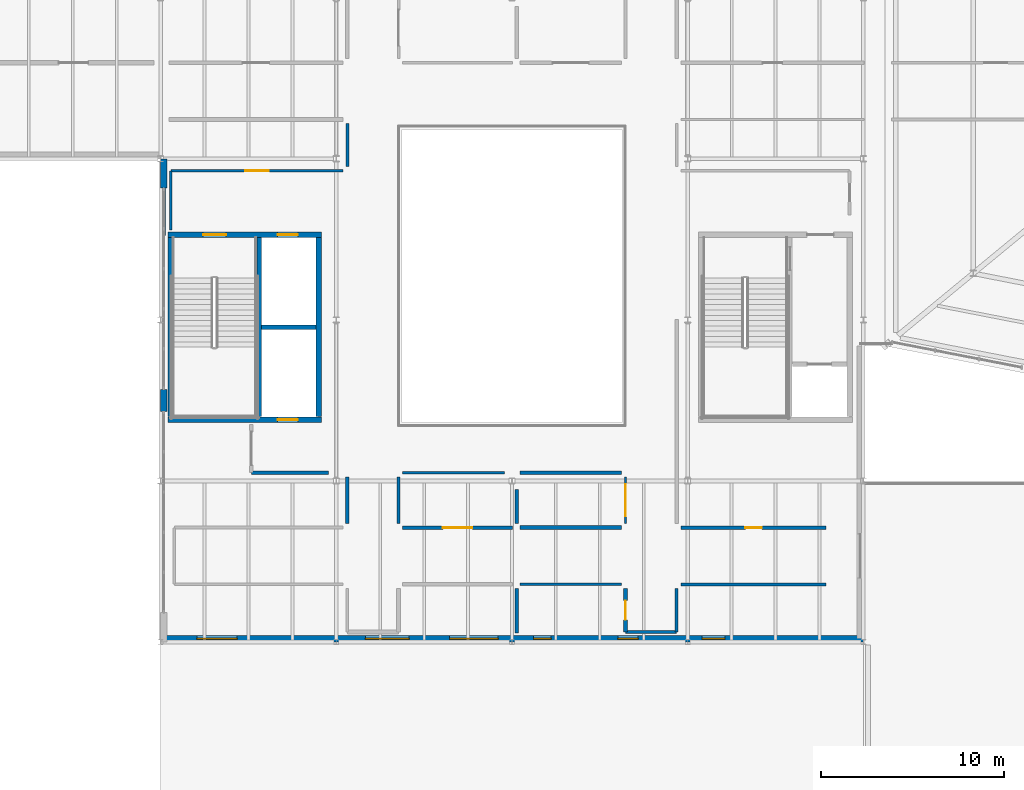
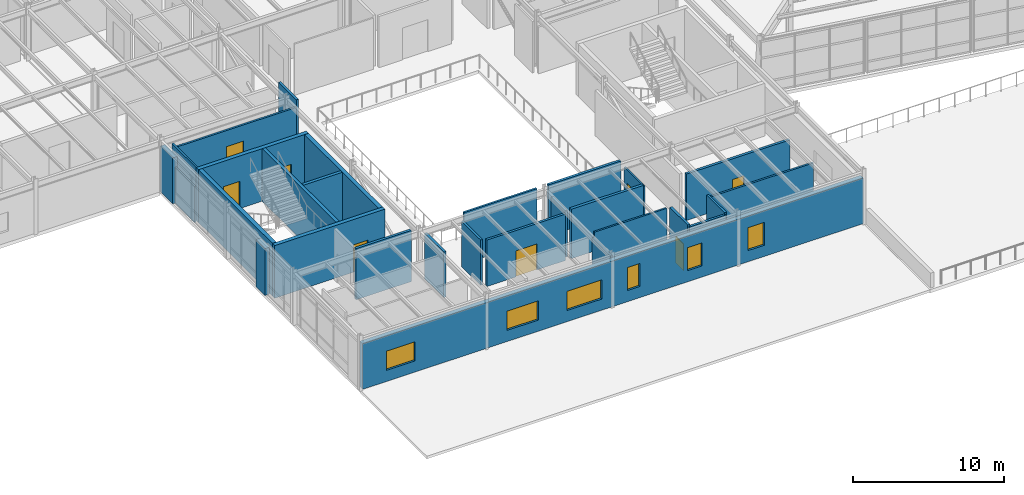
# One storey, part 51 of 69: 29 walls, 8 doors, 6 windows, 14 openings.
"""IFC4 building model written with IfcOpenShell, lengths in metres."""

import ifcopenshell
import ifcopenshell.guid

model = None  # the IFC model being written
_history = None  # IfcOwnerHistory: only IFC2X3 demands one
_inside = {}  # id of a spatial element -> (the spatial element, [elements in it])
_under = {}  # id of a project, library or spatial element -> (it, [spatial elements below it])
_declared = {}  # id of a project -> (the project, [libraries it declares])
_typed = {}  # id of a type object -> (the type object, [elements of that type])
_made_of = {}  # id of a material, layer set ... -> (it, [elements and type objects made of it])


def new_model(schema):
    """Start an empty IFC model of exactly this schema.

    Asked for "IFC4X3", IfcOpenShell would pick the latest addendum, in which some entities
    have other attributes; the version numbers below select the first issue.
    IFC2X3 requires an IfcOwnerHistory on every rooted entity: one is made here for all.
    """
    global model, _history
    if schema == "IFC4X3":
        model = ifcopenshell.file(schema_version=(4, 3, 0, 0))
    else:
        model = ifcopenshell.file(schema=schema)
    _inside.clear()
    _under.clear()
    _declared.clear()
    _typed.clear()
    _made_of.clear()
    _history = None
    if model.schema == "IFC2X3":
        org = make("IfcOrganization", Name="unknown")
        user = make(
            "IfcPersonAndOrganization",
            ThePerson=make("IfcPerson", FamilyName="unknown"),
            TheOrganization=org,
        )
        app = make(
            "IfcApplication",
            ApplicationDeveloper=org,
            Version="unknown",
            ApplicationFullName="unknown",
            ApplicationIdentifier="unknown",
        )
        _history = make(
            "IfcOwnerHistory",
            OwningUser=user,
            OwningApplication=app,
            ChangeAction="ADDED",
            CreationDate=0,
        )
    return model


def make(cls, **values):
    """One entity of the class cls with the attributes given. An attribute that is None is left unset."""
    return model.create_entity(
        cls, **{name: value for name, value in values.items() if value is not None}
    )


def rooted(cls, **values):
    """An entity with a GlobalId (a new one), such as an element, a storey or a relation."""
    return make(cls, GlobalId=ifcopenshell.guid.new(), OwnerHistory=_history, **values)


def si_unit(unit_type, name, prefix=None):
    """IfcSIUnit, for example si_unit("LENGTHUNIT", "METRE", prefix="MILLI")."""
    return make("IfcSIUnit", UnitType=unit_type, Prefix=prefix, Name=name)


def assignment(units):
    """IfcUnitAssignment: the units of a project."""
    return None if units is None else make("IfcUnitAssignment", Units=units)


def point(xyz):
    """IfcCartesianPoint."""
    return None if xyz is None else make("IfcCartesianPoint", Coordinates=xyz)


def direction(xyz):
    """IfcDirection."""
    return None if xyz is None else make("IfcDirection", DirectionRatios=xyz)


def frame(location, z_axis=None, x_axis=None):
    """IfcAxis2Placement3D, a coordinate frame: its origin and axes. An axis left out is left unset."""
    return make(
        "IfcAxis2Placement3D",
        Location=point(location),
        Axis=direction(z_axis),
        RefDirection=direction(x_axis),
    )


def frame_2d(location, x_axis=None):
    """IfcAxis2Placement2D, a coordinate frame in the plane: its origin and x axis."""
    return make(
        "IfcAxis2Placement2D", Location=point(location), RefDirection=direction(x_axis)
    )


def origin():
    """The frame at (0, 0, 0) with its axes left unset."""
    return frame((0.0, 0.0, 0.0))


def place(relative_to, where):
    """IfcLocalPlacement: puts the frame where relative to a parent placement (None: the world)."""
    return make(
        "IfcLocalPlacement", PlacementRelTo=relative_to, RelativePlacement=where
    )


def context(
    kind, dimensions, precision=None, world=None, true_north=None, identifier=None
):
    """IfcGeometricRepresentationContext, for example the 3D "Model" context."""
    return make(
        "IfcGeometricRepresentationContext",
        ContextIdentifier=identifier,
        ContextType=kind,
        CoordinateSpaceDimension=dimensions,
        Precision=precision,
        WorldCoordinateSystem=world,
        TrueNorth=true_north,
    )


def subcontext(parent, identifier, kind, view, scale=None):
    """IfcGeometricRepresentationSubContext, for example "Body" below "Model"."""
    return make(
        "IfcGeometricRepresentationSubContext",
        ContextIdentifier=identifier,
        ContextType=kind,
        ParentContext=parent,
        TargetScale=scale,
        TargetView=view,
    )


def project(units=None, contexts=None):
    """IfcProject with its units and contexts."""
    return rooted(
        "IfcProject",
        Name="project",
        RepresentationContexts=contexts,
        UnitsInContext=assignment(units),
    )


def spatial(cls, under=None, at=None, **own):
    """A site, building, storey or space (cls), placed at a placement, below another one or the project."""
    s = rooted(cls, ObjectPlacement=at, **own)
    if under is not None:
        _under.setdefault(under.id(), (under, []))[1].append(s)
    return s


def profile(cls, at=None, kind="AREA", **sizes):
    """A parametric profile (cls). Its sizes go by their IFC names, for example OverallWidth=200.0."""
    return make(cls, ProfileType=kind, Position=at, **sizes)


def rectangle(**sizes):
    """IfcRectangleProfileDef."""
    return profile("IfcRectangleProfileDef", **sizes)


def extrude(swept, where, along, depth):
    """IfcExtrudedAreaSolid: the profile swept, set in the frame where, extruded along a direction by depth."""
    return make(
        "IfcExtrudedAreaSolid",
        SweptArea=swept,
        Position=where,
        ExtrudedDirection=direction(along),
        Depth=depth,
    )


def shape(context_of_items, identifier, shape_type, items):
    """IfcShapeRepresentation: the items that make up one representation, for example the "Body"."""
    return make(
        "IfcShapeRepresentation",
        ContextOfItems=context_of_items,
        RepresentationIdentifier=identifier,
        RepresentationType=shape_type,
        Items=items,
    )


def material(Name=None, Category=None):
    """IfcMaterial."""
    return make("IfcMaterial", Name=Name, Category=Category)


def layer(
    of_material, thickness, ventilated=None, Name=None, Category=None, Priority=None
):
    """IfcMaterialLayer: one layer of a wall or slab, of a material (None: an air gap)."""
    return make(
        "IfcMaterialLayer",
        Material=of_material,
        LayerThickness=thickness,
        IsVentilated=ventilated,
        Name=Name,
        Category=Category,
        Priority=Priority,
    )


def layer_set(layers, Name=None):
    """IfcMaterialLayerSet."""
    return make("IfcMaterialLayerSet", MaterialLayers=layers, LayerSetName=Name)


def made_of(thing, what):
    """Note that an element or type object is made of a material, layer set ...; save() writes the relation."""
    if what is not None:
        _made_of.setdefault(what.id(), (what, []))[1].append(thing)
    return thing


def type_object(cls, material=None, **own):
    """A type object (cls), such as IfcWallType, which elements share."""
    return made_of(rooted(cls, **own), material)


def element(
    cls,
    number,
    at=None,
    inside=None,
    cuts=None,
    type_object=None,
    material=None,
    context=None,
    identifier="Body",
    shape_type=None,
    held_by="IfcProductDefinitionShape",
    body=None,
    shapes=None,
    **own,
):
    """One element of the class cls, such as IfcWall. Its Tag is "e" and its number.

    at: its placement. inside: the storey or other place that contains it. cuts: it is an
    opening in that element (IfcRelVoidsElement). A single representation is given by context,
    identifier, shape_type and body (its items); several are given by shapes. held_by: the class
    of the entity that holds the representations. save() writes the other relations.
    """
    e = rooted(cls, Tag="e%d" % number, ObjectPlacement=at, **own)
    if body is not None:
        shapes = [shape(context, identifier, shape_type, body)]
    if shapes is not None:
        e.Representation = make(held_by, Representations=shapes)
    if inside is not None:
        _inside.setdefault(inside.id(), (inside, []))[1].append(e)
    if cuts is not None:
        rooted(
            "IfcRelVoidsElement", RelatingBuildingElement=cuts, RelatedOpeningElement=e
        )
    if type_object is not None:
        _typed.setdefault(type_object.id(), (type_object, []))[1].append(e)
    return made_of(e, material)


def fill(opening, filler):
    """IfcRelFillsElement: the door or window that sits in an opening."""
    return rooted(
        "IfcRelFillsElement",
        RelatingOpeningElement=opening,
        RelatedBuildingElement=filler,
    )


def aggregate(whole, parts):
    """IfcRelAggregates: a whole, such as a stair, and the parts it consists of."""
    return rooted("IfcRelAggregates", RelatingObject=whole, RelatedObjects=parts)


def save(model, path):
    """Write the relations noted so far, then the file.

    IfcRelAggregates (storeys below a building ...), IfcRelContainedInSpatialStructure (elements
    in a storey), IfcRelDefinesByType, IfcRelAssociatesMaterial and IfcRelDeclares: one each for
    every whole, place, type object, material and project.
    """
    for whole, parts in _under.values():
        aggregate(whole, parts)
    for where, things in _inside.values():
        rooted(
            "IfcRelContainedInSpatialStructure",
            RelatedElements=things,
            RelatingStructure=where,
        )
    for kind, things in _typed.values():
        rooted("IfcRelDefinesByType", RelatedObjects=things, RelatingType=kind)
    for what, things in _made_of.values():
        rooted("IfcRelAssociatesMaterial", RelatedObjects=things, RelatingMaterial=what)
    for by, libraries in _declared.values():
        rooted("IfcRelDeclares", RelatingContext=by, RelatedDefinitions=libraries)
    model.write(path)


model = new_model("IFC4")

# Units and contexts
model_context = context("Model", 3, precision=1e-05, world=origin(), true_north=direction((0.0, 1.0)))
body_context = subcontext(model_context, "Body", "Model", "MODEL_VIEW")
ifc_project = project(units=[si_unit("LENGTHUNIT", "METRE"), si_unit("AREAUNIT", "SQUARE_METRE"), si_unit("VOLUMEUNIT", "CUBIC_METRE"), si_unit("PLANEANGLEUNIT", "RADIAN"), si_unit("MASSUNIT", "GRAM", prefix="KILO")], contexts=[model_context])

# Site, building, storey
site_placement = place(None, origin())
site = spatial("IfcSite", under=ifc_project, at=site_placement, CompositionType="ELEMENT")
building_placement = place(site_placement, origin())
building = spatial("IfcBuilding", under=site, at=building_placement, Name="Sarnbrook Museum", CompositionType="ELEMENT")
storey_placement = place(building_placement, frame((0.0, 0.0, 14.60009765625)))
storey = spatial("IfcBuildingStorey", under=building, at=storey_placement, Name="L03", CompositionType="ELEMENT", Elevation=14.60009765625)

# Wall, opening, door
ifc_material_1 = material(Name="Concrete N50 (AS 3600, f'c = 50 MPa)", Category="concrete")
ifc_layer_1 = layer(ifc_material_1, 0.300048828125)
ifc_layer_set_1 = layer_set([ifc_layer_1], Name="Concrete N50 (AS 3600, f'c = 50 MPa)")
wall_type_1 = type_object("IfcWallType", Name="CoreWall_CWRC", PredefinedType="SHEAR", material=ifc_layer_set_1)
wall_1_placement = place(storey_placement, frame((81.199951171875, 60.14990234375, 0.0), z_axis=(0.0, 0.0, 1.0), x_axis=(1.0, 0.0, 0.0)))
wall_1 = element("IfcWall", 1, at=wall_1_placement, inside=storey, type_object=wall_type_1, Name="Core C3 Shear Wall S L03", PredefinedType="SHEAR", context=body_context, shape_type="SweptSolid", body=[
    extrude(rectangle(XDim=8.400146484375, YDim=0.300048828125, at=frame_2d((4.2001953125, 0.0))), origin(), (0.0, 0.0, 1.0), 4.244873046875),
])
opening_1_placement = place(wall_1_placement, frame((6.0, 0.0, 0.0)))
opening_1 = element("IfcOpeningElement", 2, at=opening_1_placement, cuts=wall_1, Name="Opening LD-PL1-L03", PredefinedType="OPENING", context=body_context, shape_type="SweptSolid", body=[
    extrude(rectangle(XDim=1.10009765625, YDim=2.199951171875, at=frame_2d((0.550048828125, 1.10009765625))), frame((0.0, 0.16015625, 0.0), z_axis=(0.0, -1.0, 0.0), x_axis=(1.0, 0.0, 0.0)), (0.0, 0.0, 1.0), 0.320068359375),
])
ifc_material_2 = material(Name="Brushed Stainless Steel Grade 316", Category="steel")
door_type_1 = type_object("IfcDoorType", Name="LiftDoor_Pax110", OperationType="DOUBLE_DOOR_SLIDING", PredefinedType="DOOR", material=ifc_material_2)
door_1_placement = place(opening_1_placement, origin())
door_1 = element("IfcDoor", 3, at=door_1_placement, inside=storey, type_object=door_type_1, Name="Lift Landing Sliding Door LD-PL1-L03", OperationType="DOUBLE_DOOR_SLIDING", OverallHeight=2.199951171875, OverallWidth=1.10009765625, PredefinedType="DOOR", context=body_context, shape_type="SweptSolid", body=[
    extrude(rectangle(XDim=1.10009765625, YDim=2.199951171875, at=frame_2d((0.550048828125, 1.10009765625))), frame((0.0, 0.02490234375, 0.0), z_axis=(0.0, -1.0, 0.0), x_axis=(1.0, 0.0, 0.0)), (0.0, 0.0, 1.0), 0.050048828125),
])
fill(opening_1, door_1)

# Wall, openings, doors
wall_2_placement = place(storey_placement, frame((89.60009765625, 70.25, 0.0), z_axis=(0.0, 0.0, 1.0), x_axis=(-1.0, 0.0, 0.0)))
wall_2 = element("IfcWall", 4, at=wall_2_placement, inside=storey, type_object=wall_type_1, Name="Core C3 Shear Wall N L03", PredefinedType="SHEAR", context=body_context, shape_type="SweptSolid", body=[
    extrude(rectangle(XDim=8.400146484375, YDim=0.300048828125, at=frame_2d((4.2001953125, 0.0))), origin(), (0.0, 0.0, 1.0), 4.244873046875),
])
opening_2_placement = place(wall_2_placement, frame((5.22509765625, 0.0, 0.0)))
opening_2 = element("IfcOpeningElement", 5, at=opening_2_placement, cuts=wall_2, Name="Opening D-ST-ST3-L03", PredefinedType="OPENING", context=body_context, shape_type="SweptSolid", body=[
    extrude(rectangle(XDim=1.25, YDim=2.199951171875, at=frame_2d((0.625, 1.10009765625))), frame((0.0, 0.16015625, 0.0), z_axis=(0.0, -1.0, 0.0), x_axis=(1.0, 0.0, 0.0)), (0.0, 0.0, 1.0), 0.320068359375),
])
opening_3_placement = place(wall_2_placement, frame((1.300048828125, 0.0, 0.0)))
opening_3 = element("IfcOpeningElement", 6, at=opening_3_placement, cuts=wall_2, Name="Opening LD-PL2-L03", PredefinedType="OPENING", context=body_context, shape_type="SweptSolid", body=[
    extrude(rectangle(XDim=1.10009765625, YDim=2.199951171875, at=frame_2d((0.550048828125, 1.10009765625))), frame((0.0, 0.16015625, 0.0), z_axis=(0.0, -1.0, 0.0), x_axis=(1.0, 0.0, 0.0)), (0.0, 0.0, 1.0), 0.320068359375),
])
ifc_material_3 = material(Name="Tasmanian Oak Acoustic Timber", Category="wood")
door_type_2 = type_object("IfcDoorType", Name="FireDoor_FD120", OperationType="NOTDEFINED", PredefinedType="DOOR", material=ifc_material_3)
door_2_placement = place(opening_2_placement, origin())
door_2 = element("IfcDoor", 7, at=door_2_placement, inside=storey, type_object=door_type_2, Name="Exit Stair ST3 Fire Door L03", OperationType="SINGLE_SWING_RIGHT", OverallHeight=2.199951171875, OverallWidth=1.25, PredefinedType="DOOR", context=body_context, shape_type="SweptSolid", body=[
    extrude(rectangle(XDim=1.25, YDim=2.199951171875, at=frame_2d((0.625, 1.10009765625))), frame((0.0, 0.02490234375, 0.0), z_axis=(0.0, -1.0, 0.0), x_axis=(1.0, 0.0, 0.0)), (0.0, 0.0, 1.0), 0.050048828125),
])
fill(opening_2, door_2)
door_3_placement = place(opening_3_placement, origin())
door_3 = element("IfcDoor", 8, at=door_3_placement, inside=storey, type_object=door_type_1, Name="Lift Landing Sliding Door LD-PL2-L03", OperationType="DOUBLE_DOOR_SLIDING", OverallHeight=2.199951171875, OverallWidth=1.10009765625, PredefinedType="DOOR", context=body_context, shape_type="SweptSolid", body=[
    extrude(rectangle(XDim=1.10009765625, YDim=2.199951171875, at=frame_2d((0.550048828125, 1.10009765625))), frame((0.0, 0.02490234375, 0.0), z_axis=(0.0, -1.0, 0.0), x_axis=(1.0, 0.0, 0.0)), (0.0, 0.0, 1.0), 0.050048828125),
])
fill(opening_3, door_3)

# Walls
for number, where, z_axis, x_axis, name in (
    (9, (89.449951171875, 60.31005859375, 0.0), (0.0, 0.0, 1.0), (0.0, 1.0, 0.0), "Core C3 Shear Wall E L03"),
    (10, (81.35009765625, 70.090087890625, 0.0), (0.0, 0.0, 1.0), (0.0, -1.0, 0.0), "Core C3 Shear Wall W L03"),
):
    element("IfcWall", number, at=place(storey_placement, frame(where, z_axis=z_axis, x_axis=x_axis)), inside=storey, type_object=wall_type_1, Name=name, PredefinedType="SHEAR", context=body_context, shape_type="SweptSolid", body=[
        extrude(rectangle(XDim=9.780029296875, YDim=0.300048828125, at=frame_2d((4.89013671875, 0.0))), origin(), (0.0, 0.0, 1.0), 4.244873046875),
    ])
ifc_material_4 = material(Name="Fire-Rated Acoustic Gypsum Plasterboard")
ifc_layer_2 = layer(ifc_material_4, 0.1201171875)
ifc_layer_set_2 = layer_set([ifc_layer_2], Name="Fire-Rated Acoustic Gypsum Plasterboard")
wall_type_2 = type_object("IfcWallType", Name="PartWall_P120", PredefinedType="PARTITIONING", material=ifc_layer_set_2)
wall_3_placement = place(storey_placement, frame((81.02001953125, 70.199951171875, 0.0), z_axis=(0.0, 0.0, 1.0), x_axis=(0.0, 1.0, 0.0)))
element("IfcWall", 11, at=wall_3_placement, inside=storey, type_object=wall_type_2, Name="Interior Partition Wall L03-0629", PredefinedType="PARTITIONING", context=body_context, shape_type="SweptSolid", body=[
    extrude(rectangle(XDim=2.60009765625, YDim=0.1201171875, at=frame_2d((1.300048828125, 0.0))), origin(), (0.0, 0.0, 1.0), 2.89990234375),
])

# Wall, opening, door
wall_4_placement = place(storey_placement, frame((106.199951171875, 57.02001953125, 0.0), z_axis=(0.0, 0.0, 1.0), x_axis=(0.0, -1.0, 0.0)))
wall_4 = element("IfcWall", 12, at=wall_4_placement, inside=storey, type_object=wall_type_2, Name="Interior Partition Wall L03-0650", PredefinedType="PARTITIONING", context=body_context, shape_type="SweptSolid", body=[
    extrude(rectangle(XDim=2.5400390625, YDim=0.1201171875, at=frame_2d((1.27001953125, 0.0))), origin(), (0.0, 0.0, 1.0), 3.6669921875),
])
opening_4_placement = place(wall_4_placement, frame((0.39501953125, 0.0, 0.0)))
opening_4 = element("IfcOpeningElement", 13, at=opening_4_placement, cuts=wall_4, Name="Opening D-L03-187", PredefinedType="OPENING", context=body_context, shape_type="SweptSolid", body=[
    extrude(rectangle(XDim=1.75, YDim=2.580078125, at=frame_2d((0.875, 1.2900390625))), frame((0.0, 0.070068359375, 0.0), z_axis=(0.0, -1.0, 0.0), x_axis=(1.0, 0.0, 0.0)), (0.0, 0.0, 1.0), 0.14013671875),
])
door_type_3 = type_object("IfcDoorType", Name="IntDoor_DT35", OperationType="NOTDEFINED", PredefinedType="DOOR", material=ifc_material_3)
door_4_placement = place(opening_4_placement, frame((1.75, 0.0, 0.0), z_axis=(0.0, 0.0, 1.0), x_axis=(-1.0, 0.0, 0.0)))
door_4 = element("IfcDoor", 14, at=door_4_placement, inside=storey, type_object=door_type_3, Name="First Peoples Cultural Heritage Gallery L03-15 Door D-L03-187", OperationType="DOUBLE_DOOR_SINGLE_SWING", OverallHeight=2.580078125, OverallWidth=1.75, PredefinedType="DOOR", context=body_context, shape_type="SweptSolid", body=[
    extrude(rectangle(XDim=1.75, YDim=2.580078125, at=frame_2d((0.875, 1.2900390625))), frame((0.0, 0.02490234375, 0.0), z_axis=(0.0, -1.0, 0.0), x_axis=(1.0, 0.0, 0.0)), (0.0, 0.0, 1.0), 0.050048828125),
])
fill(opening_4, door_4)

# Walls
ifc_layer_3 = layer(ifc_material_4, 0.135009765625)
ifc_layer_set_3 = layer_set([ifc_layer_3], Name="Fire-Rated Acoustic Gypsum Plasterboard")
wall_type_3 = type_object("IfcWallType", Name="PartWall_P135", PredefinedType="PARTITIONING", material=ifc_layer_set_3)
wall_5_placement = place(storey_placement, frame((81.35009765625, 73.739990234375, 0.0), z_axis=(0.0, 0.0, 1.0), x_axis=(0.0, -1.0, 0.0)))
element("IfcWall", 15, at=wall_5_placement, inside=storey, type_object=wall_type_3, Name="Interior Partition Wall L03-0628", PredefinedType="PARTITIONING", context=body_context, shape_type="SweptSolid", body=[
    extrude(rectangle(XDim=3.219970703125, YDim=0.135009765625, at=frame_2d((1.60986328125, 0.0))), origin(), (0.0, 0.0, 1.0), 4.1298828125),
])
wall_6_placement = place(storey_placement, frame((100.449951171875, 51.14990234375, 0.0), z_axis=(0.0, 0.0, 1.0), x_axis=(1.0, 0.0, 0.0)))
element("IfcWall", 16, at=wall_6_placement, inside=storey, type_object=wall_type_3, Name="Interior Partition Wall L03-0649", PredefinedType="PARTITIONING", context=body_context, shape_type="SweptSolid", body=[
    extrude(rectangle(XDim=5.52001953125, YDim=0.135009765625, at=frame_2d((2.760009765625, 0.0))), origin(), (0.0, 0.0, 1.0), 3.992919921875),
])

# Wall, opening, door
ifc_layer_4 = layer(ifc_material_4, 0.14990234375)
ifc_layer_set_4 = layer_set([ifc_layer_4], Name="Fire-Rated Acoustic Gypsum Plasterboard")
wall_type_4 = type_object("IfcWallType", Name="PartWall_P150", PredefinedType="PARTITIONING", material=ifc_layer_set_4)
wall_7_placement = place(storey_placement, frame((90.77001953125, 73.75, 0.0), z_axis=(0.0, 0.0, 1.0), x_axis=(-1.0, 0.0, 0.0)))
wall_7 = element("IfcWall", 17, at=wall_7_placement, inside=storey, type_object=wall_type_4, Name="Interior Partition Wall L03-0627", PredefinedType="PARTITIONING", context=body_context, shape_type="SweptSolid", body=[
    extrude(rectangle(XDim=9.409912109375, YDim=0.14990234375, at=frame_2d((4.705078125, 0.0))), origin(), (0.0, 0.0, 1.0), 3.762939453125),
])
opening_5_placement = place(wall_7_placement, frame((4.054931640625, 0.0, 0.0)))
opening_5 = element("IfcOpeningElement", 18, at=opening_5_placement, cuts=wall_7, Name="Opening D-L03-180", PredefinedType="OPENING", context=body_context, shape_type="SweptSolid", body=[
    extrude(rectangle(XDim=1.300048828125, YDim=2.4599609375, at=frame_2d((0.64990234375, 1.22998046875))), frame((0.0, 0.0849609375, 0.0), z_axis=(0.0, -1.0, 0.0), x_axis=(1.0, 0.0, 0.0)), (0.0, 0.0, 1.0), 0.169921875),
])
door_type_4 = type_object("IfcDoorType", Name="IntDoor_DT28", OperationType="NOTDEFINED", PredefinedType="DOOR", material=ifc_material_3)
door_5_placement = place(opening_5_placement, frame((1.300048828125, 0.0, 0.0), z_axis=(0.0, 0.0, 1.0), x_axis=(-1.0, 0.0, 0.0)))
door_5 = element("IfcDoor", 19, at=door_5_placement, inside=storey, type_object=door_type_4, Name="Botanical Illustrations & Rare Folios L03-7 Door D-L03-180", OperationType="SINGLE_SWING_RIGHT", OverallHeight=2.4599609375, OverallWidth=1.300048828125, PredefinedType="DOOR", context=body_context, shape_type="SweptSolid", body=[
    extrude(rectangle(XDim=1.300048828125, YDim=2.4599609375, at=frame_2d((0.64990234375, 1.22998046875))), frame((0.0, 0.02490234375, 0.0), z_axis=(0.0, -1.0, 0.0), x_axis=(1.0, 0.0, 0.0)), (0.0, 0.0, 1.0), 0.050048828125),
])
fill(opening_5, door_5)

# Walls
wall_8_placement = place(storey_placement, frame((94.030029296875, 57.25, 0.0), z_axis=(0.0, 0.0, 1.0), x_axis=(1.0, 0.0, 0.0)))
element("IfcWall", 20, at=wall_8_placement, inside=storey, type_object=wall_type_4, Name="Interior Partition Wall L03-0641", PredefinedType="PARTITIONING", context=body_context, shape_type="SweptSolid", body=[
    extrude(rectangle(XDim=5.55224609375, YDim=0.14990234375, at=frame_2d((2.776123046875, 0.0))), origin(), (0.0, 0.0, 1.0), 4.1298828125),
])
wall_9_placement = place(storey_placement, frame((109.22998046875, 51.14990234375, 0.0), z_axis=(0.0, 0.0, 1.0), x_axis=(1.0, 0.0, 0.0)))
element("IfcWall", 21, at=wall_9_placement, inside=storey, type_object=wall_type_4, Name="Interior Partition Wall L03-0648", PredefinedType="PARTITIONING", context=body_context, shape_type="SweptSolid", body=[
    extrude(rectangle(XDim=7.935791015625, YDim=0.14990234375, at=frame_2d((3.9677734375, 0.0))), origin(), (0.0, 0.0, 1.0), 3.742919921875),
])
ifc_layer_5 = layer(ifc_material_4, 0.1650390625)
ifc_layer_set_5 = layer_set([ifc_layer_5], Name="Fire-Rated Acoustic Gypsum Plasterboard")
wall_type_5 = type_object("IfcWallType", Name="PartWall_P165", PredefinedType="PARTITIONING", material=ifc_layer_set_5)
wall_10_placement = place(storey_placement, frame((91.0, 76.320068359375, 0.0), z_axis=(0.0, 0.0, 1.0), x_axis=(0.0, -1.0, 0.0)))
element("IfcWall", 22, at=wall_10_placement, inside=storey, type_object=wall_type_5, Name="Interior Partition Wall L03-0626", PredefinedType="PARTITIONING", context=body_context, shape_type="SweptSolid", body=[
    extrude(rectangle(XDim=2.340087890625, YDim=0.1650390625, at=frame_2d((1.169921875, 0.0))), origin(), (0.0, 0.0, 1.0), 4.1298828125),
])
wall_11_placement = place(storey_placement, frame((93.800048828125, 54.47998046875, 0.0), z_axis=(0.0, 0.0, 1.0), x_axis=(0.0, 1.0, 0.0)))
element("IfcWall", 23, at=wall_11_placement, inside=storey, type_object=wall_type_5, Name="Interior Partition Wall L03-0640", PredefinedType="PARTITIONING", context=body_context, shape_type="SweptSolid", body=[
    extrude(rectangle(XDim=2.5400390625, YDim=0.1650390625, at=frame_2d((1.27001953125, 0.0))), origin(), (0.0, 0.0, 1.0), 3.6669921875),
])
wall_12_placement = place(storey_placement, frame((109.0, 48.56005859375, 0.0), z_axis=(0.0, 0.0, 1.0), x_axis=(0.0, 1.0, 0.0)))
element("IfcWall", 24, at=wall_12_placement, inside=storey, type_object=wall_type_5, Name="Interior Partition Wall L03-0647", PredefinedType="PARTITIONING", context=body_context, shape_type="SweptSolid", body=[
    extrude(rectangle(XDim=2.35986328125, YDim=0.1650390625, at=frame_2d((1.179931640625, 0.0))), origin(), (0.0, 0.0, 1.0), 4.1298828125),
])
wall_13_placement = place(storey_placement, frame((100.260009765625, 50.919921875, 0.0), z_axis=(0.0, 0.0, 1.0), x_axis=(0.0, -1.0, 0.0)))
element("IfcWall", 25, at=wall_13_placement, inside=storey, type_object=wall_type_5, Name="Interior Partition Wall L03-0710", PredefinedType="PARTITIONING", context=body_context, shape_type="SweptSolid", body=[
    extrude(rectangle(XDim=2.43994140625, YDim=0.1650390625, at=frame_2d((1.219970703125, 0.0))), origin(), (0.0, 0.0, 1.0), 3.742919921875),
])
ifc_layer_6 = layer(ifc_material_4, 0.179931640625)
ifc_layer_set_6 = layer_set([ifc_layer_6], Name="Fire-Rated Acoustic Gypsum Plasterboard")
wall_type_6 = type_object("IfcWallType", Name="PartWall_P180", PredefinedType="PARTITIONING", material=ifc_layer_set_6)
wall_14_placement = place(storey_placement, frame((91.0, 57.02001953125, 0.0), z_axis=(0.0, 0.0, 1.0), x_axis=(0.0, -1.0, 0.0)))
element("IfcWall", 26, at=wall_14_placement, inside=storey, type_object=wall_type_6, Name="Interior Partition Wall L03-0618", PredefinedType="PARTITIONING", context=body_context, shape_type="SweptSolid", body=[
    extrude(rectangle(XDim=2.5400390625, YDim=0.179931640625, at=frame_2d((1.27001953125, 0.0))), origin(), (0.0, 0.0, 1.0), 3.6669921875),
])

# Wall, opening, door
wall_15_placement = place(storey_placement, frame((100.030029296875, 54.25, 0.0), z_axis=(0.0, 0.0, 1.0), x_axis=(-1.0, 0.0, 0.0)))
wall_15 = element("IfcWall", 27, at=wall_15_placement, inside=storey, type_object=wall_type_6, Name="Interior Partition Wall L03-0639", PredefinedType="PARTITIONING", context=body_context, shape_type="SweptSolid", body=[
    extrude(rectangle(XDim=6.0, YDim=0.179931640625, at=frame_2d((3.0, 0.0))), origin(), (0.0, 0.0, 1.0), 3.742919921875),
])
opening_6_placement = place(wall_15_placement, frame((2.199951171875, 0.0, 0.0)))
opening_6 = element("IfcOpeningElement", 28, at=opening_6_placement, cuts=wall_15, Name="Opening D-L03-183", PredefinedType="OPENING", context=body_context, shape_type="SweptSolid", body=[
    extrude(rectangle(XDim=1.60009765625, YDim=2.10009765625, at=frame_2d((0.800048828125, 1.050048828125))), frame((0.0, 0.10009765625, 0.0), z_axis=(0.0, -1.0, 0.0), x_axis=(1.0, 0.0, 0.0)), (0.0, 0.0, 1.0), 0.199951171875),
])
ifc_material_5 = material(Name="Patinated Architectural Bronze")
door_type_5 = type_object("IfcDoorType", Name="ServiceGate_G1", OperationType="NOTDEFINED", PredefinedType="GATE", material=ifc_material_5)
door_6_placement = place(opening_6_placement, frame((1.60009765625, 0.0, 0.0), z_axis=(0.0, 0.0, 1.0), x_axis=(-1.0, 0.0, 0.0)))
door_6 = element("IfcDoor", 29, at=door_6_placement, inside=storey, type_object=door_type_5, Name="Natural History Library & Reading Room L03-11 Door D-L03-183", OperationType="DOUBLE_DOOR_SINGLE_SWING", OverallHeight=2.10009765625, OverallWidth=1.60009765625, PredefinedType="GATE", context=body_context, shape_type="SweptSolid", body=[
    extrude(rectangle(XDim=1.60009765625, YDim=2.10009765625, at=frame_2d((0.800048828125, 1.050048828125))), frame((0.0, 0.02490234375, 0.0), z_axis=(0.0, -1.0, 0.0), x_axis=(1.0, 0.0, 0.0)), (0.0, 0.0, 1.0), 0.050048828125),
])
fill(opening_6, door_6)

# Walls
wall_16_placement = place(storey_placement, frame((106.2099609375, 48.550048828125, 0.0), z_axis=(0.0, 0.0, 1.0), x_axis=(1.0, 0.0, 0.0)))
element("IfcWall", 30, at=wall_16_placement, inside=storey, type_object=wall_type_6, Name="Interior Partition Wall L03-0646", PredefinedType="PARTITIONING", context=body_context, shape_type="SweptSolid", body=[
    extrude(rectangle(XDim=2.780029296875, YDim=0.179931640625, at=frame_2d((1.39013671875, 0.0))), origin(), (0.0, 0.0, 1.0), 3.992919921875),
])
ifc_layer_7 = layer(ifc_material_4, 0.195068359375)
ifc_layer_set_7 = layer_set([ifc_layer_7], Name="Fire-Rated Acoustic Gypsum Plasterboard")
wall_type_7 = type_object("IfcWallType", Name="PartWall_P195", PredefinedType="PARTITIONING", material=ifc_layer_set_7)
wall_17_placement = place(storey_placement, frame((85.760009765625, 57.25, 0.0), z_axis=(0.0, 0.0, 1.0), x_axis=(1.0, 0.0, 0.0)))
element("IfcWall", 31, at=wall_17_placement, inside=storey, type_object=wall_type_7, Name="Interior Partition Wall L03-0617", PredefinedType="PARTITIONING", context=body_context, shape_type="SweptSolid", body=[
    extrude(rectangle(XDim=4.222412109375, YDim=0.195068359375, at=frame_2d((2.111328125, 0.0))), origin(), (0.0, 0.0, 1.0), 4.1298828125),
])

# Wall, opening, door
wall_18_placement = place(storey_placement, frame((106.199951171875, 50.919921875, 0.0), z_axis=(0.0, 0.0, 1.0), x_axis=(0.0, -1.0, 0.0)))
wall_18 = element("IfcWall", 32, at=wall_18_placement, inside=storey, type_object=wall_type_7, Name="Interior Partition Wall L03-0645", PredefinedType="PARTITIONING", context=body_context, shape_type="SweptSolid", body=[
    extrude(rectangle(XDim=2.35986328125, YDim=0.195068359375, at=frame_2d((1.179931640625, 0.0))), origin(), (0.0, 0.0, 1.0), 4.1298828125),
])
opening_7_placement = place(wall_18_placement, frame((0.655029296875, 0.0, 0.0)))
opening_7 = element("IfcOpeningElement", 33, at=opening_7_placement, cuts=wall_18, Name="Opening D-L03-186", PredefinedType="OPENING", context=body_context, shape_type="SweptSolid", body=[
    extrude(rectangle(XDim=1.050048828125, YDim=2.14990234375, at=frame_2d((0.52490234375, 1.074951171875))), frame((0.0, 0.107421875, 0.0), z_axis=(0.0, -1.0, 0.0), x_axis=(1.0, 0.0, 0.0)), (0.0, 0.0, 1.0), 0.215087890625),
])
door_type_6 = type_object("IfcDoorType", Name="FireDoor_FD60", OperationType="NOTDEFINED", PredefinedType="DOOR", material=ifc_material_3)
door_7_placement = place(opening_7_placement, frame((1.050048828125, 0.0, 0.0), z_axis=(0.0, 0.0, 1.0), x_axis=(-1.0, 0.0, 0.0)))
door_7 = element("IfcDoor", 34, at=door_7_placement, inside=storey, type_object=door_type_6, Name="Meteorites & Planetary Science Hall L03-14 Door D-L03-186", OperationType="SINGLE_SWING_RIGHT", OverallHeight=2.14990234375, OverallWidth=1.050048828125, PredefinedType="DOOR", context=body_context, shape_type="SweptSolid", body=[
    extrude(rectangle(XDim=1.050048828125, YDim=2.14990234375, at=frame_2d((0.52490234375, 1.074951171875))), frame((0.0, 0.02490234375, 0.0), z_axis=(0.0, -1.0, 0.0), x_axis=(1.0, 0.0, 0.0)), (0.0, 0.0, 1.0), 0.050048828125),
])
fill(opening_7, door_7)

# Wall
wall_19_placement = place(storey_placement, frame((100.449951171875, 57.25, 0.0), z_axis=(0.0, 0.0, 1.0), x_axis=(1.0, 0.0, 0.0)))
element("IfcWall", 35, at=wall_19_placement, inside=storey, type_object=wall_type_7, Name="Interior Partition Wall L03-0652", PredefinedType="PARTITIONING", context=body_context, shape_type="SweptSolid", body=[
    extrude(rectangle(XDim=5.52001953125, YDim=0.195068359375, at=frame_2d((2.760009765625, 0.0))), origin(), (0.0, 0.0, 1.0), 4.1298828125),
])

# Wall, opening, door
wall_20_placement = place(storey_placement, frame((117.165771484375, 54.25, 0.0), z_axis=(0.0, 0.0, 1.0), x_axis=(-1.0, 0.0, 0.0)))
wall_20 = element("IfcWall", 36, at=wall_20_placement, inside=storey, type_object=wall_type_7, Name="Interior Partition Wall L03-0659", PredefinedType="PARTITIONING", context=body_context, shape_type="SweptSolid", body=[
    extrude(rectangle(XDim=7.935791015625, YDim=0.195068359375, at=frame_2d((3.9677734375, 0.0))), origin(), (0.0, 0.0, 1.0), 3.742919921875),
])
opening_8_placement = place(wall_20_placement, frame((3.517822265625, 0.0, 0.0)))
opening_8 = element("IfcOpeningElement", 37, at=opening_8_placement, cuts=wall_20, Name="Opening D-L03-191", PredefinedType="OPENING", context=body_context, shape_type="SweptSolid", body=[
    extrude(rectangle(XDim=0.89990234375, YDim=2.080078125, at=frame_2d((0.449951171875, 1.0400390625))), frame((0.0, 0.107421875, 0.0), z_axis=(0.0, -1.0, 0.0), x_axis=(1.0, 0.0, 0.0)), (0.0, 0.0, 1.0), 0.215087890625),
])
door_type_7 = type_object("IfcDoorType", Name="IntDoor_DT01", OperationType="NOTDEFINED", PredefinedType="DOOR", material=ifc_material_3)
door_8_placement = place(opening_8_placement, frame((0.89990234375, 0.0, 0.0), z_axis=(0.0, 0.0, 1.0), x_axis=(-1.0, 0.0, 0.0)))
door_8 = element("IfcDoor", 38, at=door_8_placement, inside=storey, type_object=door_type_7, Name="Botanical Illustrations & Rare Folios L03-19 Door D-L03-191", OperationType="SINGLE_SWING_RIGHT", OverallHeight=2.080078125, OverallWidth=0.89990234375, PredefinedType="DOOR", context=body_context, shape_type="SweptSolid", body=[
    extrude(rectangle(XDim=0.89990234375, YDim=2.080078125, at=frame_2d((0.449951171875, 1.0400390625))), frame((0.0, 0.02490234375, 0.0), z_axis=(0.0, -1.0, 0.0), x_axis=(1.0, 0.0, 0.0)), (0.0, 0.0, 1.0), 0.050048828125),
])
fill(opening_8, door_8)

# Walls
ifc_layer_8 = layer(ifc_material_4, 0.2099609375)
ifc_layer_set_8 = layer_set([ifc_layer_8], Name="Fire-Rated Acoustic Gypsum Plasterboard")
wall_type_8 = type_object("IfcWallType", Name="PartWall_P210", PredefinedType="PARTITIONING", material=ifc_layer_set_8)
wall_21_placement = place(storey_placement, frame((105.969970703125, 54.25, 0.0), z_axis=(0.0, 0.0, 1.0), x_axis=(-1.0, 0.0, 0.0)))
element("IfcWall", 39, at=wall_21_placement, inside=storey, type_object=wall_type_8, Name="Interior Partition Wall L03-0651", PredefinedType="PARTITIONING", context=body_context, shape_type="SweptSolid", body=[
    extrude(rectangle(XDim=5.52001953125, YDim=0.2099609375, at=frame_2d((2.760009765625, 0.0))), origin(), (0.0, 0.0, 1.0), 3.992919921875),
])
wall_22_placement = place(storey_placement, frame((100.260009765625, 56.320068359375, 0.0), z_axis=(0.0, 0.0, 1.0), x_axis=(0.0, -1.0, 0.0)))
element("IfcWall", 40, at=wall_22_placement, inside=storey, type_object=wall_type_8, Name="Interior Partition Wall L03-0714", PredefinedType="PARTITIONING", context=body_context, shape_type="SweptSolid", body=[
    extrude(rectangle(XDim=1.840087890625, YDim=0.2099609375, at=frame_2d((0.919921875, 0.0))), origin(), (0.0, 0.0, 1.0), 3.742919921875),
])
ifc_material_6 = material(Name="Concrete N40 (AS 3600, f'c = 40 MPa)", Category="concrete")
ifc_layer_9 = layer(ifc_material_6, 0.239990234375)
ifc_layer_set_9 = layer_set([ifc_layer_9], Name="Concrete N40 (AS 3600, f'c = 40 MPa)")
wall_type_9 = type_object("IfcWallType", Name="ShaftWall_SWRC", PredefinedType="SOLIDWALL", material=ifc_layer_set_9)
wall_23_placement = place(storey_placement, frame((86.18994140625, 60.31005859375, 0.0), z_axis=(0.0, 0.0, 1.0), x_axis=(0.0, 1.0, 0.0)))
element("IfcWall", 41, at=wall_23_placement, inside=storey, type_object=wall_type_9, Name="Stairwell ST3 Fire Shaft Wall L03", PredefinedType="SOLIDWALL", context=body_context, shape_type="SweptSolid", body=[
    extrude(rectangle(XDim=9.780029296875, YDim=0.239990234375, at=frame_2d((4.89013671875, 0.0))), origin(), (0.0, 0.0, 1.0), 4.244873046875),
])
wall_24_placement = place(storey_placement, frame((86.320068359375, 65.199951171875, 0.0), z_axis=(0.0, 0.0, 1.0), x_axis=(1.0, 0.0, 0.0)))
element("IfcWall", 42, at=wall_24_placement, inside=storey, type_object=wall_type_9, Name="Core C3 Twin Lift Divider Wall L03", PredefinedType="SOLIDWALL", context=body_context, shape_type="SweptSolid", body=[
    extrude(rectangle(XDim=2.969970703125, YDim=0.239990234375, at=frame_2d((1.48486328125, 0.0))), origin(), (0.0, 0.0, 1.0), 4.244873046875),
])
ifc_material_7 = material(Name="Barrabool Sandstone Ashlar Cladding", Category="masonry")
ifc_layer_10 = layer(ifc_material_7, 0.360107421875)
ifc_layer_set_10 = layer_set([ifc_layer_10], Name="Barrabool Sandstone Ashlar Cladding")
wall_type_10 = type_object("IfcWallType", Name="Wall_SandstoneExt360", PredefinedType="SOLIDWALL", material=ifc_layer_set_10)
wall_25_placement = place(storey_placement, frame((80.97998046875, 74.39990234375, 0.0), z_axis=(0.0, 0.0, 1.0), x_axis=(0.0, -1.0, 0.0)))
element("IfcWall", 43, at=wall_25_placement, inside=storey, type_object=wall_type_10, Name="Classical Sandstone Facade Pier L03-2.1", PredefinedType="SOLIDWALL", context=body_context, shape_type="SweptSolid", body=[
    extrude(rectangle(XDim=1.599853515625, YDim=0.360107421875, at=frame_2d((0.7998046875, 0.0))), origin(), (0.0, 0.0, 1.0), 3.701904296875),
])
wall_26_placement = place(storey_placement, frame((80.97998046875, 61.800048828125, 0.0), z_axis=(0.0, 0.0, 1.0), x_axis=(0.0, -1.0, 0.0)))
element("IfcWall", 44, at=wall_26_placement, inside=storey, type_object=wall_type_10, Name="Classical Sandstone Facade Pier L03-2.2", PredefinedType="SOLIDWALL", context=body_context, shape_type="SweptSolid", body=[
    extrude(rectangle(XDim=1.199951171875, YDim=0.360107421875, at=frame_2d((0.60009765625, 0.0))), origin(), (0.0, 0.0, 1.0), 3.77783203125),
])

# Wall, openings, windows
wall_27_placement = place(storey_placement, frame((80.986083984375, 48.179931640625, 0.0), z_axis=(0.0, 0.0, 1.0), x_axis=(1.0, 0.0, 0.0)))
wall_27 = element("IfcWall", 45, at=wall_27_placement, inside=storey, type_object=wall_type_10, Name="Classical Sandstone Facade Wall L03-03", PredefinedType="SOLIDWALL", context=body_context, shape_type="SweptSolid", body=[
    extrude(rectangle(XDim=38.2138671875, YDim=0.360107421875, at=frame_2d((19.10693359375, 0.0))), origin(), (0.0, 0.0, 1.0), 3.681884765625),
])
opening_9_placement = place(wall_27_placement, frame((1.800048828125, 0.0, 0.89990234375)))
opening_9 = element("IfcOpeningElement", 46, at=opening_9_placement, cuts=wall_27, Name="Opening WT-09", PredefinedType="OPENING", context=body_context, shape_type="SweptSolid", body=[
    extrude(rectangle(XDim=2.199951171875, YDim=1.550048828125, at=frame_2d((1.10009765625, 0.77490234375))), frame((0.0, 0.18994140625, 0.0), z_axis=(0.0, -1.0, 0.0), x_axis=(1.0, 0.0, 0.0)), (0.0, 0.0, 1.0), 0.380126953125),
])
opening_10_placement = place(wall_27_placement, frame((11.0, 0.0, 0.89990234375)))
opening_10 = element("IfcOpeningElement", 47, at=opening_10_placement, cuts=wall_27, Name="Opening WT-10", PredefinedType="OPENING", context=body_context, shape_type="SweptSolid", body=[
    extrude(rectangle(XDim=2.39990234375, YDim=1.550048828125, at=frame_2d((1.199951171875, 0.77490234375))), frame((0.0, 0.18994140625, 0.0), z_axis=(0.0, -1.0, 0.0), x_axis=(1.0, 0.0, 0.0)), (0.0, 0.0, 1.0), 0.380126953125),
])
opening_11_placement = place(wall_27_placement, frame((15.60009765625, 0.0, 0.89990234375)))
opening_11 = element("IfcOpeningElement", 48, at=opening_11_placement, cuts=wall_27, Name="Opening WT-11", PredefinedType="OPENING", context=body_context, shape_type="SweptSolid", body=[
    extrude(rectangle(XDim=2.64990234375, YDim=1.550048828125, at=frame_2d((1.324951171875, 0.77490234375))), frame((0.0, 0.18994140625, 0.0), z_axis=(0.0, -1.0, 0.0), x_axis=(1.0, 0.0, 0.0)), (0.0, 0.0, 1.0), 0.380126953125),
])
opening_12_placement = place(wall_27_placement, frame((20.199951171875, 0.0, 0.89990234375)))
opening_12 = element("IfcOpeningElement", 49, at=opening_12_placement, cuts=wall_27, Name="Opening WT-12", PredefinedType="OPENING", context=body_context, shape_type="SweptSolid", body=[
    extrude(rectangle(XDim=0.949951171875, YDim=1.85009765625, at=frame_2d((0.47509765625, 0.925048828125))), frame((0.0, 0.18994140625, 0.0), z_axis=(0.0, -1.0, 0.0), x_axis=(1.0, 0.0, 0.0)), (0.0, 0.0, 1.0), 0.380126953125),
])
opening_13_placement = place(wall_27_placement, frame((24.800048828125, 0.0, 0.89990234375)))
opening_13 = element("IfcOpeningElement", 50, at=opening_13_placement, cuts=wall_27, Name="Opening WT-13", PredefinedType="OPENING", context=body_context, shape_type="SweptSolid", body=[
    extrude(rectangle(XDim=1.10009765625, YDim=1.85009765625, at=frame_2d((0.550048828125, 0.925048828125))), frame((0.0, 0.18994140625, 0.0), z_axis=(0.0, -1.0, 0.0), x_axis=(1.0, 0.0, 0.0)), (0.0, 0.0, 1.0), 0.380126953125),
])
opening_14_placement = place(wall_27_placement, frame((29.39990234375, 0.0, 0.89990234375)))
opening_14 = element("IfcOpeningElement", 51, at=opening_14_placement, cuts=wall_27, Name="Opening WT-14", PredefinedType="OPENING", context=body_context, shape_type="SweptSolid", body=[
    extrude(rectangle(XDim=1.25, YDim=1.85009765625, at=frame_2d((0.625, 0.925048828125))), frame((0.0, 0.18994140625, 0.0), z_axis=(0.0, -1.0, 0.0), x_axis=(1.0, 0.0, 0.0)), (0.0, 0.0, 1.0), 0.380126953125),
])
ifc_material_8 = material(Name="Double-Glazed Low-Iron Laminated Safety Glass", Category="glass")
window_type_1 = type_object("IfcWindowType", Name="Window_Classical_WT09", PartitioningType="SINGLE_PANEL", PredefinedType="WINDOW", material=ifc_material_8)
window_1_placement = place(opening_9_placement, origin())
window_1 = element("IfcWindow", 52, at=window_1_placement, inside=storey, type_object=window_type_1, Name="Classical Bronze Casement Window WIN:L03:0097", OverallHeight=1.550048828125, OverallWidth=2.199951171875, PartitioningType="SINGLE_PANEL", PredefinedType="WINDOW", context=body_context, shape_type="SweptSolid", body=[
    extrude(rectangle(XDim=2.199951171875, YDim=1.550048828125, at=frame_2d((1.10009765625, 0.77490234375))), frame((0.0, 0.030029296875, 0.0), z_axis=(0.0, -1.0, 0.0), x_axis=(1.0, 0.0, 0.0)), (0.0, 0.0, 1.0), 0.06005859375),
])
fill(opening_9, window_1)
window_type_2 = type_object("IfcWindowType", Name="Window_Classical_WT10", PartitioningType="SINGLE_PANEL", PredefinedType="WINDOW", material=ifc_material_8)
window_2_placement = place(opening_10_placement, origin())
window_2 = element("IfcWindow", 53, at=window_2_placement, inside=storey, type_object=window_type_2, Name="Classical Bronze Casement Window WIN:L03:0098", OverallHeight=1.550048828125, OverallWidth=2.39990234375, PartitioningType="SINGLE_PANEL", PredefinedType="WINDOW", context=body_context, shape_type="SweptSolid", body=[
    extrude(rectangle(XDim=2.39990234375, YDim=1.550048828125, at=frame_2d((1.199951171875, 0.77490234375))), frame((0.0, 0.030029296875, 0.0), z_axis=(0.0, -1.0, 0.0), x_axis=(1.0, 0.0, 0.0)), (0.0, 0.0, 1.0), 0.06005859375),
])
fill(opening_10, window_2)
window_type_3 = type_object("IfcWindowType", Name="Window_Classical_WT11", PartitioningType="SINGLE_PANEL", PredefinedType="WINDOW", material=ifc_material_8)
window_3_placement = place(opening_11_placement, origin())
window_3 = element("IfcWindow", 54, at=window_3_placement, inside=storey, type_object=window_type_3, Name="Classical Bronze Casement Window WIN:L03:0099", OverallHeight=1.550048828125, OverallWidth=2.64990234375, PartitioningType="SINGLE_PANEL", PredefinedType="WINDOW", context=body_context, shape_type="SweptSolid", body=[
    extrude(rectangle(XDim=2.64990234375, YDim=1.550048828125, at=frame_2d((1.324951171875, 0.77490234375))), frame((0.0, 0.030029296875, 0.0), z_axis=(0.0, -1.0, 0.0), x_axis=(1.0, 0.0, 0.0)), (0.0, 0.0, 1.0), 0.06005859375),
])
fill(opening_11, window_3)
window_type_4 = type_object("IfcWindowType", Name="Window_Classical_WT12", PartitioningType="SINGLE_PANEL", PredefinedType="WINDOW", material=ifc_material_8)
window_4_placement = place(opening_12_placement, origin())
window_4 = element("IfcWindow", 55, at=window_4_placement, inside=storey, type_object=window_type_4, Name="Classical Bronze Casement Window WIN:L03:0100", OverallHeight=1.85009765625, OverallWidth=0.949951171875, PartitioningType="SINGLE_PANEL", PredefinedType="WINDOW", context=body_context, shape_type="SweptSolid", body=[
    extrude(rectangle(XDim=0.949951171875, YDim=1.85009765625, at=frame_2d((0.47509765625, 0.925048828125))), frame((0.0, 0.030029296875, 0.0), z_axis=(0.0, -1.0, 0.0), x_axis=(1.0, 0.0, 0.0)), (0.0, 0.0, 1.0), 0.06005859375),
])
fill(opening_12, window_4)
window_type_5 = type_object("IfcWindowType", Name="Window_Classical_WT13", PartitioningType="SINGLE_PANEL", PredefinedType="WINDOW", material=ifc_material_8)
window_5_placement = place(opening_13_placement, origin())
window_5 = element("IfcWindow", 56, at=window_5_placement, inside=storey, type_object=window_type_5, Name="Classical Bronze Casement Window WIN:L03:0101", OverallHeight=1.85009765625, OverallWidth=1.10009765625, PartitioningType="SINGLE_PANEL", PredefinedType="WINDOW", context=body_context, shape_type="SweptSolid", body=[
    extrude(rectangle(XDim=1.10009765625, YDim=1.85009765625, at=frame_2d((0.550048828125, 0.925048828125))), frame((0.0, 0.030029296875, 0.0), z_axis=(0.0, -1.0, 0.0), x_axis=(1.0, 0.0, 0.0)), (0.0, 0.0, 1.0), 0.06005859375),
])
fill(opening_13, window_5)
window_type_6 = type_object("IfcWindowType", Name="Window_Classical_WT14", PartitioningType="SINGLE_PANEL", PredefinedType="WINDOW", material=ifc_material_8)
window_6_placement = place(opening_14_placement, origin())
window_6 = element("IfcWindow", 57, at=window_6_placement, inside=storey, type_object=window_type_6, Name="Classical Bronze Casement Window WIN:L03:0102", OverallHeight=1.85009765625, OverallWidth=1.25, PartitioningType="SINGLE_PANEL", PredefinedType="WINDOW", context=body_context, shape_type="SweptSolid", body=[
    extrude(rectangle(XDim=1.25, YDim=1.85009765625, at=frame_2d((0.625, 0.925048828125))), frame((0.0, 0.030029296875, 0.0), z_axis=(0.0, -1.0, 0.0), x_axis=(1.0, 0.0, 0.0)), (0.0, 0.0, 1.0), 0.06005859375),
])
fill(opening_14, window_6)

save(model, "model.ifc")
